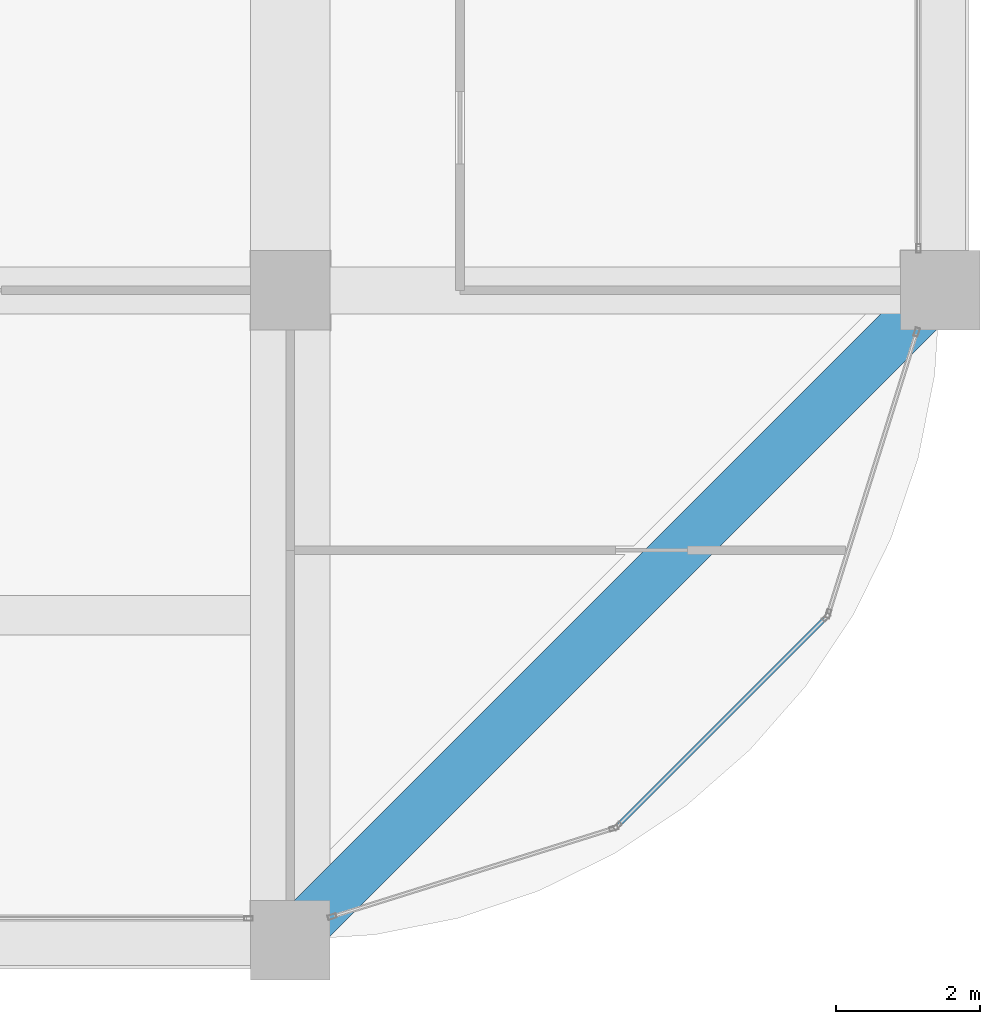
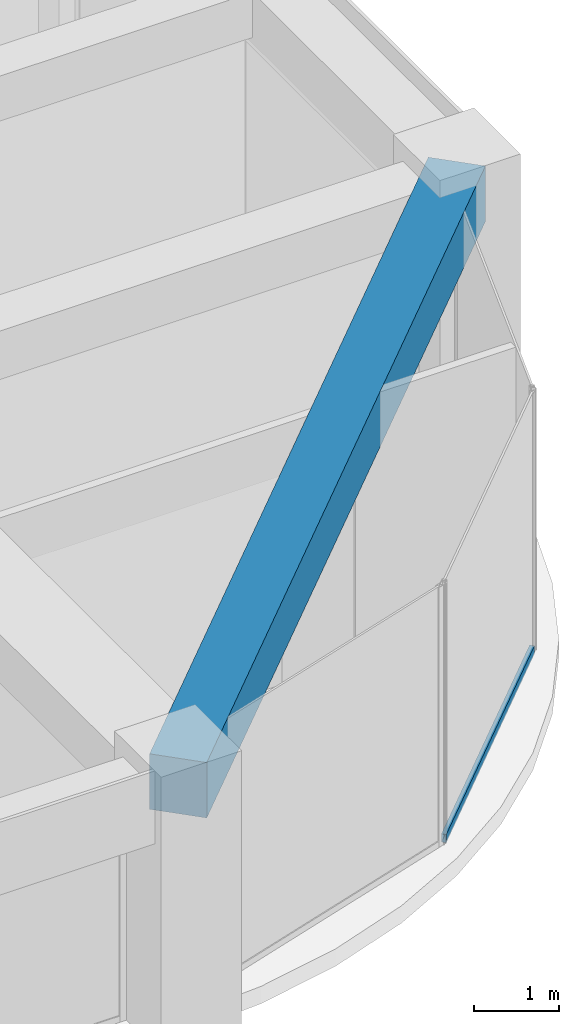
# One storey, part 19 of 45: 1 beam, 1 member, 1 element without a shape of its own.
"""IFC4 building model written with IfcOpenShell, lengths in metres."""

from ifc_helpers import new_model, si_unit, direction, frame, origin, origin_2d, place, context, subcontext, project, spatial, rectangle, hollow_rectangle, extrude, material, material_profile, profile_set, type_object, element, aggregate, save


model = new_model("IFC4")

# Units and contexts
model_context = context("Model", 3, precision=1e-05, world=origin(), true_north=direction((0.0, 1.0)))
body_context = subcontext(model_context, "Body", "Model", "MODEL_VIEW")
ifc_project = project(units=[si_unit("LENGTHUNIT", "METRE"), si_unit("AREAUNIT", "SQUARE_METRE"), si_unit("VOLUMEUNIT", "CUBIC_METRE"), si_unit("PLANEANGLEUNIT", "RADIAN"), si_unit("MASSUNIT", "GRAM", prefix="KILO")], contexts=[model_context])

# Site, building, storey
site_placement = place(None, origin())
site = spatial("IfcSite", under=ifc_project, at=site_placement, CompositionType="ELEMENT")
building_placement = place(site_placement, origin())
building = spatial("IfcBuilding", under=site, at=building_placement, Name="Zorevar Civic Tower", CompositionType="ELEMENT")
storey_placement = place(building_placement, frame((0.0, 0.0, 279.39990234375)))
storey = spatial("IfcBuildingStorey", under=building, at=storey_placement, Name="L68", CompositionType="ELEMENT", Elevation=279.39990234375)

# Curtain wall, member
ifc_material_1 = material(Name="Dark grey solar-control glass in black aluminium frame", Category="aluminium")
curtain_wall_type = type_object("IfcCurtainWallType", Name="Curtain wall CW5 top zone", PredefinedType="NOTDEFINED", material=ifc_material_1)
curtain_wall_placement = place(storey_placement, origin())
curtain_wall = element("IfcCurtainWall", 1, at=curtain_wall_placement, inside=storey, type_object=curtain_wall_type, Name="CW5 L68", PredefinedType="NOTDEFINED")
ifc_material_2 = material(Name="Aluminium, black anodised", Category="aluminium")
ifc_material_profile_1 = material_profile(ifc_material_2, hollow_rectangle(XDim=0.06005859375, YDim=0.1201171875, WallThickness=0.0029296875, at=origin_2d()), Name="AL 120x60x3")
ifc_profile_set_1 = profile_set([ifc_material_profile_1], Name="Aluminium, black anodised")
member_type = type_object("IfcMemberType", Name="CW5 transom AL 120x60x3", PredefinedType="USERDEFINED", material=ifc_profile_set_1)
member_placement = place(storey_placement, frame((49.55029296875, 1.6015625, 0.030029296875), z_axis=(0.707106781187, 0.707106781187, 0.0), x_axis=(-0.707106781187, 0.707106781187, 0.0)))
member = element("IfcMember", 2, at=member_placement, type_object=member_type, Name="CW5 sill transom", ObjectType="TRANSOM", PredefinedType="USERDEFINED", context=body_context, shape_type="SweptSolid", body=[
    extrude(hollow_rectangle(XDim=0.06005859375, YDim=0.1201171875, WallThickness=0.0029296875, at=origin_2d()), origin(), (0.0, 0.0, 1.0), 4.02783203125),
])
aggregate(curtain_wall, [member])

# Beam
ifc_material_3 = material(Name="Concrete C50/60", Category="concrete")
ifc_material_profile_2 = material_profile(ifc_material_3, rectangle(XDim=0.699951171875, YDim=0.800048828125, at=origin_2d()), Name="RC 700x800")
ifc_profile_set_2 = profile_set([ifc_material_profile_2], Name="Concrete C50/60")
beam_type = type_object("IfcBeamType", Name="Edge beam RC 700x800", PredefinedType="SPANDREL", material=ifc_profile_set_2)
beam_placement = place(storey_placement, frame((45.0, 0.0, 3.35009765625), z_axis=(0.707106781187, 0.707106781187, 0.0), x_axis=(-0.707106781187, 0.707106781187, 0.0)))
element("IfcBeam", 3, at=beam_placement, inside=storey, type_object=beam_type, Name="Corner edge beam L69", PredefinedType="SPANDREL", context=body_context, shape_type="SweptSolid", body=[
    extrude(rectangle(XDim=0.699951171875, YDim=0.800048828125, at=origin_2d()), origin(), (0.0, 0.0, 1.0), 12.72802734375),
])

save(model, "model.ifc")
